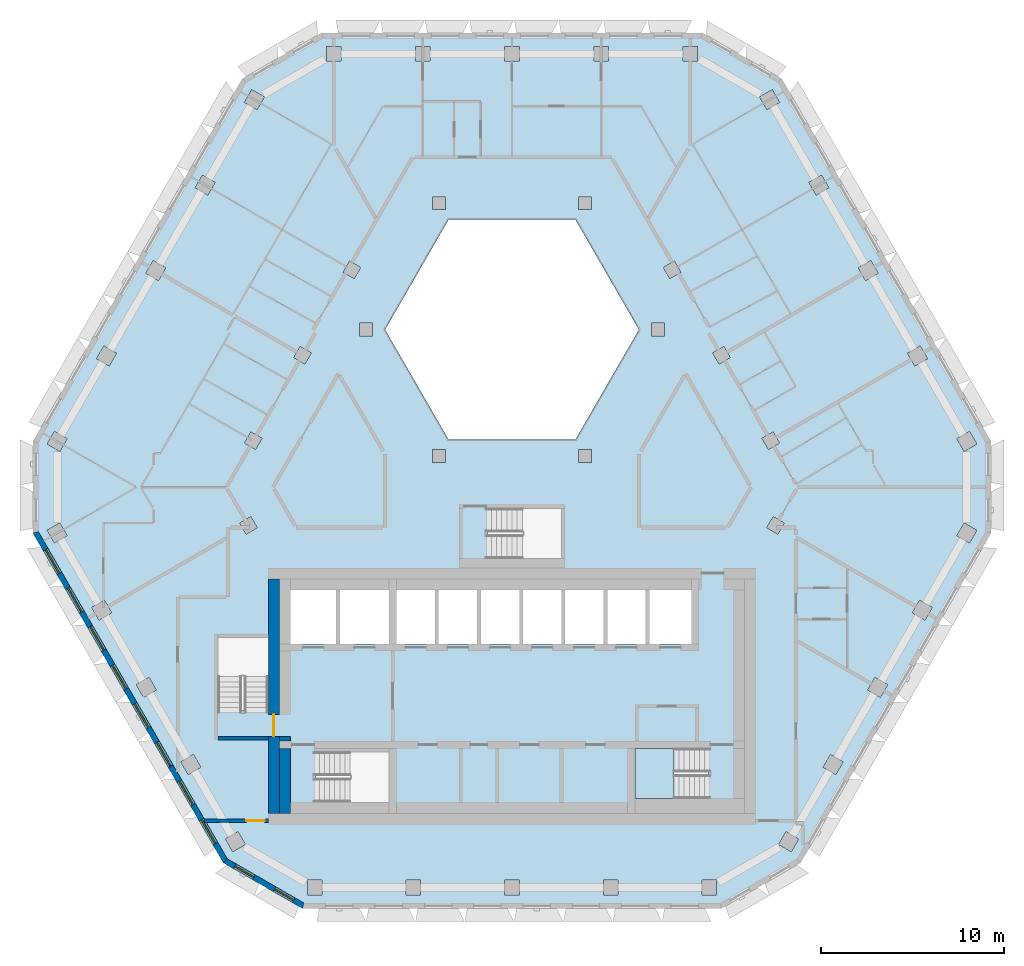
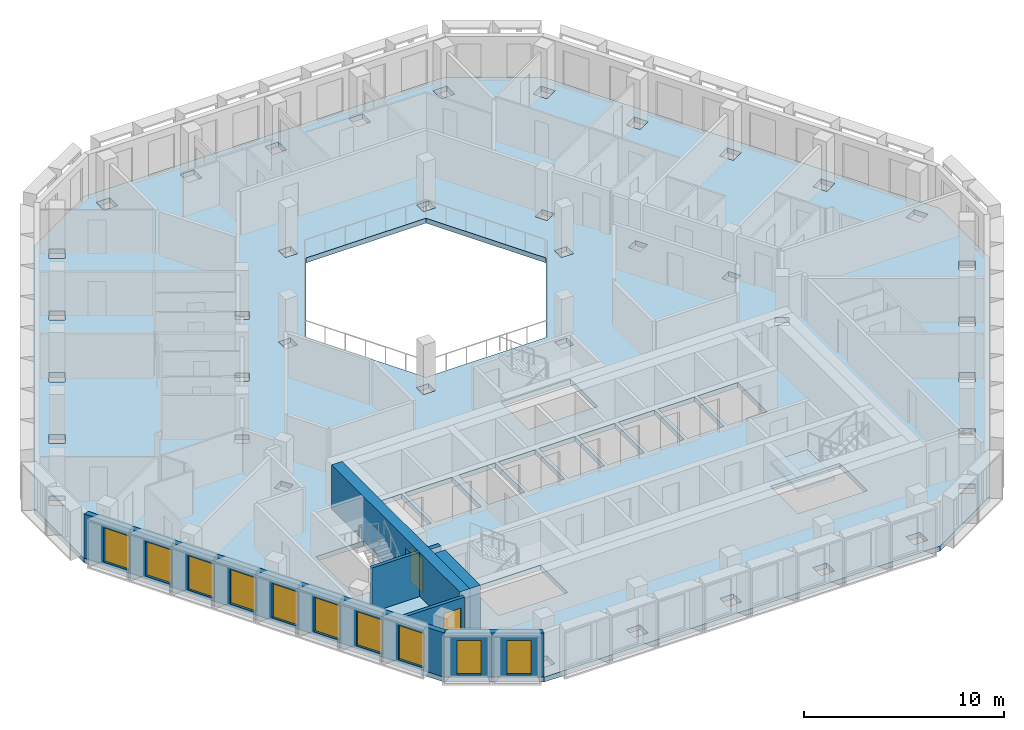
# One storey, part 2 of 18: 10 windows, 7 walls, 2 doors, 2 slabs, 12 openings, 1 element without a shape of its own.
"""IFC4 building model written with IfcOpenShell, lengths in metres."""

from ifc_helpers import new_model, si_unit, direction, frame, frame_2d, origin, place, context, subcontext, project, spatial, polyline, rectangle, outline, extrude, material, layer, layer_set, type_object, element, fill, aggregate, save


model = new_model("IFC4")

# Units and contexts
model_context = context("Model", 3, precision=1e-05, world=origin(), true_north=direction((0.0, 1.0)))
body_context = subcontext(model_context, "Body", "Model", "MODEL_VIEW")
ifc_project = project(units=[si_unit("LENGTHUNIT", "METRE"), si_unit("AREAUNIT", "SQUARE_METRE"), si_unit("VOLUMEUNIT", "CUBIC_METRE"), si_unit("PLANEANGLEUNIT", "RADIAN"), si_unit("MASSUNIT", "GRAM", prefix="KILO")], contexts=[model_context])

# Site, building, storey
site_placement = place(None, origin())
site = spatial("IfcSite", under=ifc_project, at=site_placement, CompositionType="ELEMENT")
building_placement = place(site_placement, origin())
building = spatial("IfcBuilding", under=site, at=building_placement, Name="Beryl Residences", CompositionType="ELEMENT")
storey_placement = place(building_placement, frame((0.0, 0.0, 190.199951171875)))
storey = spatial("IfcBuildingStorey", under=building, at=storey_placement, Name="L58", CompositionType="ELEMENT", Elevation=190.199951171875)

# Slab
ifc_material_1 = material(Name="Concrete C40/50", Category="concrete")
ifc_layer_1 = layer(ifc_material_1, 0.300048828125)
ifc_layer_set_1 = layer_set([ifc_layer_1], Name="SL7 PT floor slab 300 mm C40/50")
slab_type_1 = type_object("IfcSlabType", Name="SL7 PT floor slab 300 mm C40/50", PredefinedType="FLOOR", material=ifc_layer_set_1)
slab_1_placement = place(storey_placement, frame((0.0, 0.0, -0.300048828125)))
element("IfcSlab", 1, at=slab_1_placement, inside=storey, type_object=slab_type_1, Name="L58 slab 1", PredefinedType="FLOOR", context=body_context, shape_type="SweptSolid", body=[
    extrude(outline(polyline([(26.154052734375, -3.10009765625), (15.760986328125, -21.10009765625), (11.430908203125, -23.60009765625), (-11.430908203125, -23.60009765625), (-15.760986328125, -21.10009765625), (-26.154052734375, -3.10009765625), (-26.154052734375, 1.89990234375), (-14.721923828125, 21.699951171875), (-10.39208984375, 24.199951171875), (10.39208984375, 24.199951171875), (14.721923828125, 21.699951171875), (26.154052734375, 1.89990234375), (26.154052734375, -3.10009765625)]), holes=[polyline([(24.971923828125, 2.446044921875), (24.280029296875, 2.0458984375), (24.679931640625, 1.35400390625), (25.3720703125, 1.75390625), (24.971923828125, 2.446044921875)]), polyline([(24.678955078125, -2.554931640625), (24.279052734375, -3.2470703125), (24.970947265625, -3.64697265625), (25.37109375, -2.955078125), (24.678955078125, -2.554931640625)]), polyline([(22.2470703125, -6.76806640625), (21.846923828125, -7.4599609375), (22.5390625, -7.860107421875), (22.93896484375, -7.16796875), (22.2470703125, -6.76806640625)]), polyline([(22.280029296875, 7.10791015625), (21.587890625, 6.7080078125), (21.988037109375, 6.01611328125), (22.679931640625, 6.416015625), (22.280029296875, 7.10791015625)]), polyline([(19.4150390625, -11.672119140625), (20.10693359375, -12.072021484375), (20.507080078125, -11.3798828125), (19.81494140625, -10.97998046875), (19.4150390625, -11.672119140625)]), polyline([(18.89599609375, 11.37109375), (19.2958984375, 10.678955078125), (19.988037109375, 11.0791015625), (19.587890625, 11.77099609375), (18.89599609375, 11.37109375)]), polyline([(18.074951171875, -15.592041015625), (17.383056640625, -15.19189453125), (16.98291015625, -15.884033203125), (17.675048828125, -16.283935546875), (18.074951171875, -15.592041015625)]), polyline([(16.89599609375, 16.43408203125), (16.2041015625, 16.033935546875), (16.60400390625, 15.342041015625), (17.2958984375, 15.741943359375), (16.89599609375, 16.43408203125)]), polyline([(15.64306640625, -19.804931640625), (14.950927734375, -19.405029296875), (14.551025390625, -20.096923828125), (15.242919921875, -20.4970703125), (15.64306640625, -19.804931640625)]), polyline([(14.860107421875, -2.56103515625), (14.25390625, -2.2109375), (13.904052734375, -2.81689453125), (14.510009765625, -3.1669921875), (14.860107421875, -2.56103515625)]), polyline([(14.2041015625, 21.095947265625), (13.511962890625, 20.696044921875), (13.912109375, 20.00390625), (14.60400390625, 20.404052734375), (14.2041015625, 21.095947265625)]), polyline([(13.64501953125, 2.06494140625), (13.9951171875, 1.458984375), (14.60107421875, 1.80908203125), (14.2509765625, 2.4150390625), (13.64501953125, 2.06494140625)]), polyline([(11.55908203125, 7.077880859375), (10.952880859375, 6.72802734375), (11.302978515625, 6.1220703125), (11.908935546875, 6.471923828125), (11.55908203125, 7.077880859375)]), polyline([(11.1689453125, -22.050048828125), (10.368896484375, -22.050048828125), (10.368896484375, -22.85009765625), (11.1689453125, -22.85009765625), (11.1689453125, -22.050048828125)]), polyline([(6.699951171875, -14.85009765625), (6.699951171875, -17.60009765625), (10.699951171875, -17.60009765625), (10.699951171875, -14.85009765625), (6.699951171875, -14.85009765625)]), polyline([(9.327880859375, 23.449951171875), (9.327880859375, 22.64990234375), (10.1279296875, 22.64990234375), (10.1279296875, 23.449951171875), (9.327880859375, 23.449951171875)]), polyline([(7.5, -9.14990234375), (9.800048828125, -9.14990234375), (9.800048828125, -6.199951171875), (7.5, -6.199951171875), (7.5, -9.14990234375)]), polyline([(8.260986328125, 11.39111328125), (8.611083984375, 10.784912109375), (9.217041015625, 11.135009765625), (8.866943359375, 11.740966796875), (8.260986328125, 11.39111328125)]), polyline([(8.31689453125, 7.64990234375), (8.31689453125, 8.35009765625), (7.616943359375, 8.35009765625), (7.616943359375, 7.64990234375), (8.31689453125, 7.64990234375)]), polyline([(5.199951171875, -9.14990234375), (7.300048828125, -9.14990234375), (7.300048828125, -6.199951171875), (5.199951171875, -6.199951171875), (5.199951171875, -9.14990234375)]), polyline([(3.464111328125, 14.0), (-3.464111328125, 14.0), (-6.92822265625, 8.0), (-3.464111328125, 2.0), (3.464111328125, 2.0), (6.92822265625, 8.0), (3.464111328125, 14.0)]), polyline([(5.784912109375, -22.85009765625), (5.784912109375, -22.050048828125), (4.985107421875, -22.050048828125), (4.985107421875, -22.85009765625), (5.784912109375, -22.85009765625)]), polyline([(4.464111328125, 23.449951171875), (4.464111328125, 22.64990234375), (5.263916015625, 22.64990234375), (5.263916015625, 23.449951171875), (4.464111328125, 23.449951171875)]), polyline([(5.0, -9.14990234375), (5.0, -6.199951171875), (2.89990234375, -6.199951171875), (2.89990234375, -9.14990234375), (5.0, -9.14990234375)]), polyline([(4.333984375, 14.550048828125), (4.333984375, 15.25), (3.634033203125, 15.25), (3.634033203125, 14.550048828125), (4.333984375, 14.550048828125)]), polyline([(4.333984375, 1.449951171875), (3.634033203125, 1.449951171875), (3.634033203125, 0.75), (4.333984375, 0.75), (4.333984375, 1.449951171875)]), polyline([(2.699951171875, -4.5), (2.699951171875, -1.75), (-1.300048828125, -1.75), (-1.300048828125, -4.5), (2.699951171875, -4.5)]), polyline([(0.60009765625, -9.14990234375), (2.699951171875, -9.14990234375), (2.699951171875, -6.199951171875), (0.60009765625, -6.199951171875), (0.60009765625, -9.14990234375)]), polyline([(-0.39892578125, -22.050048828125), (-0.39892578125, -22.85009765625), (0.40087890625, -22.85009765625), (0.40087890625, -22.050048828125), (-0.39892578125, -22.050048828125)]), polyline([(0.39990234375, 22.64990234375), (0.39990234375, 23.449951171875), (-0.39990234375, 23.449951171875), (-0.39990234375, 22.64990234375), (0.39990234375, 22.64990234375)]), polyline([(0.39990234375, -6.199951171875), (-1.699951171875, -6.199951171875), (-1.699951171875, -9.14990234375), (0.39990234375, -9.14990234375), (0.39990234375, -6.199951171875)]), polyline([(-4.0, -9.14990234375), (-1.89990234375, -9.14990234375), (-1.89990234375, -6.199951171875), (-4.0, -6.199951171875), (-4.0, -9.14990234375)]), polyline([(-3.634033203125, 15.25), (-4.333984375, 15.25), (-4.333984375, 14.550048828125), (-3.634033203125, 14.550048828125), (-3.634033203125, 15.25)]), polyline([(-3.634033203125, 0.75), (-3.634033203125, 1.449951171875), (-4.333984375, 1.449951171875), (-4.333984375, 0.75), (-3.634033203125, 0.75)]), polyline([(-6.300048828125, -9.14990234375), (-4.199951171875, -9.14990234375), (-4.199951171875, -6.199951171875), (-6.300048828125, -6.199951171875), (-6.300048828125, -9.14990234375)]), polyline([(-5.263916015625, 23.449951171875), (-5.263916015625, 22.64990234375), (-4.464111328125, 22.64990234375), (-4.464111328125, 23.449951171875), (-5.263916015625, 23.449951171875)]), polyline([(-4.98291015625, -22.85009765625), (-4.98291015625, -22.050048828125), (-5.782958984375, -22.050048828125), (-5.782958984375, -22.85009765625), (-4.98291015625, -22.85009765625)]), polyline([(-6.699951171875, -6.199951171875), (-9.39990234375, -6.199951171875), (-9.39990234375, -9.14990234375), (-6.699951171875, -9.14990234375), (-6.699951171875, -6.199951171875)]), polyline([(-10.699951171875, -15.050048828125), (-10.699951171875, -17.800048828125), (-6.699951171875, -17.800048828125), (-6.699951171875, -15.050048828125), (-10.699951171875, -15.050048828125)]), polyline([(-7.616943359375, 7.64990234375), (-7.616943359375, 8.35009765625), (-8.31689453125, 8.35009765625), (-8.31689453125, 7.64990234375), (-7.616943359375, 7.64990234375)]), polyline([(-8.611083984375, 10.784912109375), (-8.260986328125, 11.39111328125), (-8.866943359375, 11.740966796875), (-9.217041015625, 11.135009765625), (-8.611083984375, 10.784912109375)]), polyline([(-10.1279296875, 23.449951171875), (-10.1279296875, 22.64990234375), (-9.327880859375, 22.64990234375), (-9.327880859375, 23.449951171875), (-10.1279296875, 23.449951171875)]), polyline([(-12.10009765625, -9.14990234375), (-9.60009765625, -9.14990234375), (-9.60009765625, -6.199951171875), (-12.10009765625, -6.199951171875), (-12.10009765625, -9.14990234375)]), polyline([(-11.1669921875, -22.050048828125), (-11.1669921875, -22.85009765625), (-10.366943359375, -22.85009765625), (-10.366943359375, -22.050048828125), (-11.1669921875, -22.050048828125)]), polyline([(-11.908935546875, 6.471923828125), (-11.302978515625, 6.1220703125), (-10.952880859375, 6.72802734375), (-11.55908203125, 7.077880859375), (-11.908935546875, 6.471923828125)]), polyline([(-13.300048828125, -8.800048828125), (-16.050048828125, -8.800048828125), (-16.050048828125, -12.800048828125), (-13.300048828125, -12.800048828125), (-13.300048828125, -8.800048828125)]), polyline([(-13.912109375, 20.00390625), (-13.511962890625, 20.696044921875), (-14.2041015625, 21.095947265625), (-14.60400390625, 20.404052734375), (-13.912109375, 20.00390625)]), polyline([(-13.9951171875, 1.458984375), (-13.64501953125, 2.06494140625), (-14.2509765625, 2.4150390625), (-14.60107421875, 1.80908203125), (-13.9951171875, 1.458984375)]), polyline([(-14.510986328125, -3.1650390625), (-13.905029296875, -2.81494140625), (-14.2548828125, -2.208984375), (-14.861083984375, -2.55908203125), (-14.510986328125, -3.1650390625)]), polyline([(-14.552001953125, -20.094970703125), (-14.951904296875, -19.403076171875), (-15.64404296875, -19.802978515625), (-15.243896484375, -20.4951171875), (-14.552001953125, -20.094970703125)]), polyline([(-16.60400390625, 15.342041015625), (-16.2041015625, 16.033935546875), (-16.89599609375, 16.43408203125), (-17.2958984375, 15.741943359375), (-16.60400390625, 15.342041015625)]), polyline([(-16.98388671875, -15.882080078125), (-17.384033203125, -15.18994140625), (-18.075927734375, -15.590087890625), (-17.676025390625, -16.281982421875), (-16.98388671875, -15.882080078125)]), polyline([(-18.89599609375, 11.37109375), (-19.587890625, 11.77099609375), (-19.988037109375, 11.0791015625), (-19.2958984375, 10.678955078125), (-18.89599609375, 11.37109375)]), polyline([(-20.10791015625, -12.070068359375), (-19.416015625, -11.669921875), (-19.81591796875, -10.97802734375), (-20.508056640625, -11.3779296875), (-20.10791015625, -12.070068359375)]), polyline([(-22.679931640625, 6.416015625), (-21.988037109375, 6.01611328125), (-21.587890625, 6.7080078125), (-22.280029296875, 7.10791015625), (-22.679931640625, 6.416015625)]), polyline([(-21.847900390625, -7.4580078125), (-22.248046875, -6.76611328125), (-22.93994140625, -7.166015625), (-22.5400390625, -7.85791015625), (-21.847900390625, -7.4580078125)]), polyline([(-25.3720703125, 1.75390625), (-24.679931640625, 1.35400390625), (-24.280029296875, 2.0458984375), (-24.971923828125, 2.446044921875), (-25.3720703125, 1.75390625)]), polyline([(-24.280029296875, -3.2451171875), (-24.679931640625, -2.552978515625), (-25.3720703125, -2.952880859375), (-24.971923828125, -3.64501953125), (-24.280029296875, -3.2451171875)])]), origin(), (0.0, 0.0, 1.0), 0.300048828125),
])

# Stair, slab
ifc_material_2 = material(Name="Concrete C40/50", Category="concrete")
stair_type = type_object("IfcStairType", Name="ST1 protected exit stair, half-turn, 1300 mm flights", PredefinedType="HALF_TURN_STAIR", material=ifc_material_2)
stair_placement = place(storey_placement, origin())
stair = element("IfcStair", 2, at=stair_placement, inside=storey, type_object=stair_type, Name="L58 PROTECTED EXIT STAIR ST-3", PredefinedType="HALF_TURN_STAIR")
ifc_material_3 = material(Name="Concrete C40/50", Category="concrete")
ifc_layer_2 = layer(ifc_material_3, 0.199951171875)
ifc_layer_set_2 = layer_set([ifc_layer_2], Name="SLD1 stair landing 200 mm")
slab_type_2 = type_object("IfcSlabType", Name="SLD1 stair landing 200 mm", PredefinedType="LANDING", material=ifc_layer_set_2)
slab_2_placement = place(storey_placement, frame((0.0, 0.0, 1.300048828125)))
slab_2 = element("IfcSlab", 3, at=slab_2_placement, type_object=slab_type_2, Name="ST-3 landing 1", PredefinedType="LANDING", context=body_context, shape_type="SweptSolid", body=[
    extrude(outline(polyline([(8.840087890625, -14.85009765625), (6.699951171875, -14.85009765625), (6.699951171875, -17.60009765625), (8.840087890625, -17.60009765625), (8.840087890625, -14.85009765625)])), origin(), (0.0, 0.0, 1.0), 0.199951171875),
])
aggregate(stair, [slab_2])

# Wall, openings, windows
ifc_material_4 = material(Name="Composite metal panel with mineral wool insulation")
ifc_layer_3 = layer(ifc_material_4, 0.300048828125)
ifc_layer_set_3 = layer_set([ifc_layer_3], Name="ES1 pale metal composite panel wall 300 mm")
wall_type_1 = type_object("IfcWallType", Name="ES1 pale metal composite panel wall 300 mm", PredefinedType="SOLIDWALL", material=ifc_layer_set_3)
wall_1_placement = place(storey_placement, frame((-26.02392578125, -3.02490234375, 0.0), z_axis=(0.0, 0.0, 1.0), x_axis=(0.500018670445, -0.86601462413, 0.0)))
wall_1 = element("IfcWall", 4, at=wall_1_placement, inside=storey, type_object=wall_type_1, Name="ES1 external wall L58 SW", PredefinedType="SOLIDWALL", context=body_context, shape_type="SweptSolid", body=[
    extrude(outline(polyline([(0.0, -0.14990234375), (20.784912109375, -0.14990234375), (20.70458984375, 0.14990234375), (0.080322265625, 0.14990234375), (0.0, -0.14990234375)])), origin(), (0.0, 0.0, 1.0), 2.699951171875),
])
opening_1_placement = place(wall_1_placement, frame((1.1298828125, 0.0, 0.14990234375)))
opening_1 = element("IfcOpeningElement", 5, at=opening_1_placement, cuts=wall_1, Name="Opening W1", PredefinedType="OPENING", context=body_context, shape_type="SweptSolid", body=[
    extrude(rectangle(XDim=1.5, YDim=2.10009765625, at=frame_2d((0.75, 1.050048828125))), frame((0.0, 0.159912109375, 0.0), z_axis=(0.0, -1.0, 0.0), x_axis=(1.0, 0.0, 0.0)), (0.0, 0.0, 1.0), 0.320068359375),
])
opening_2_placement = place(wall_1_placement, frame((3.56201171875, 0.0, 0.14990234375)))
opening_2 = element("IfcOpeningElement", 6, at=opening_2_placement, cuts=wall_1, Name="Opening W1", PredefinedType="OPENING", context=body_context, shape_type="SweptSolid", body=[
    extrude(rectangle(XDim=1.5, YDim=2.10009765625, at=frame_2d((0.75, 1.050048828125))), frame((0.0, 0.159912109375, 0.0), z_axis=(0.0, -1.0, 0.0), x_axis=(1.0, 0.0, 0.0)), (0.0, 0.0, 1.0), 0.320068359375),
])
opening_3_placement = place(wall_1_placement, frame((5.993896484375, 0.0, 0.14990234375)))
opening_3 = element("IfcOpeningElement", 7, at=opening_3_placement, cuts=wall_1, Name="Opening W1", PredefinedType="OPENING", context=body_context, shape_type="SweptSolid", body=[
    extrude(rectangle(XDim=1.5, YDim=2.10009765625, at=frame_2d((0.75, 1.050048828125))), frame((0.0, 0.159912109375, 0.0), z_axis=(0.0, -1.0, 0.0), x_axis=(1.0, 0.0, 0.0)), (0.0, 0.0, 1.0), 0.320068359375),
])
opening_4_placement = place(wall_1_placement, frame((8.425048828125, 0.0, 0.14990234375)))
opening_4 = element("IfcOpeningElement", 8, at=opening_4_placement, cuts=wall_1, Name="Opening W1", PredefinedType="OPENING", context=body_context, shape_type="SweptSolid", body=[
    extrude(rectangle(XDim=1.5, YDim=2.10009765625, at=frame_2d((0.75, 1.050048828125))), frame((0.0, 0.159912109375, 0.0), z_axis=(0.0, -1.0, 0.0), x_axis=(1.0, 0.0, 0.0)), (0.0, 0.0, 1.0), 0.320068359375),
])
opening_5_placement = place(wall_1_placement, frame((10.85693359375, 0.0, 0.14990234375)))
opening_5 = element("IfcOpeningElement", 9, at=opening_5_placement, cuts=wall_1, Name="Opening W1", PredefinedType="OPENING", context=body_context, shape_type="SweptSolid", body=[
    extrude(rectangle(XDim=1.5, YDim=2.10009765625, at=frame_2d((0.75, 1.050048828125))), frame((0.0, 0.159912109375, 0.0), z_axis=(0.0, -1.0, 0.0), x_axis=(1.0, 0.0, 0.0)), (0.0, 0.0, 1.0), 0.320068359375),
])
opening_6_placement = place(wall_1_placement, frame((13.2890625, 0.0, 0.14990234375)))
opening_6 = element("IfcOpeningElement", 10, at=opening_6_placement, cuts=wall_1, Name="Opening W1", PredefinedType="OPENING", context=body_context, shape_type="SweptSolid", body=[
    extrude(rectangle(XDim=1.5, YDim=2.10009765625, at=frame_2d((0.75, 1.050048828125))), frame((0.0, 0.159912109375, 0.0), z_axis=(0.0, -1.0, 0.0), x_axis=(1.0, 0.0, 0.0)), (0.0, 0.0, 1.0), 0.320068359375),
])
opening_7_placement = place(wall_1_placement, frame((15.721923828125, 0.0, 0.14990234375)))
opening_7 = element("IfcOpeningElement", 11, at=opening_7_placement, cuts=wall_1, Name="Opening W1", PredefinedType="OPENING", context=body_context, shape_type="SweptSolid", body=[
    extrude(rectangle(XDim=1.5, YDim=2.10009765625, at=frame_2d((0.75, 1.050048828125))), frame((0.0, 0.159912109375, 0.0), z_axis=(0.0, -1.0, 0.0), x_axis=(1.0, 0.0, 0.0)), (0.0, 0.0, 1.0), 0.320068359375),
])
opening_8_placement = place(wall_1_placement, frame((18.154052734375, 0.0, 0.14990234375)))
opening_8 = element("IfcOpeningElement", 12, at=opening_8_placement, cuts=wall_1, Name="Opening W1", PredefinedType="OPENING", context=body_context, shape_type="SweptSolid", body=[
    extrude(rectangle(XDim=1.5, YDim=2.10009765625, at=frame_2d((0.75, 1.050048828125))), frame((0.0, 0.159912109375, 0.0), z_axis=(0.0, -1.0, 0.0), x_axis=(1.0, 0.0, 0.0)), (0.0, 0.0, 1.0), 0.320068359375),
])
ifc_material_5 = material(Name="Aluminium and clear glass", Category="aluminium")
window_type_1 = type_object("IfcWindowType", Name="W1 cell window 1500 x 2100 mm", PartitioningType="SINGLE_PANEL", PredefinedType="WINDOW", material=ifc_material_5)
window_1_placement = place(opening_1_placement, origin())
window_1 = element("IfcWindow", 13, at=window_1_placement, inside=storey, type_object=window_type_1, Name="W1 window L58 SW 1", OverallHeight=2.10009765625, OverallWidth=1.5, PartitioningType="SINGLE_PANEL", PredefinedType="WINDOW", context=body_context, shape_type="SweptSolid", body=[
    extrude(rectangle(XDim=1.5, YDim=2.10009765625, at=frame_2d((0.75, 1.050048828125))), frame((0.0, 0.030029296875, 0.0), z_axis=(0.0, -1.0, 0.0), x_axis=(1.0, 0.0, 0.0)), (0.0, 0.0, 1.0), 0.06005859375),
])
fill(opening_1, window_1)
window_2_placement = place(opening_2_placement, origin())
window_2 = element("IfcWindow", 14, at=window_2_placement, inside=storey, type_object=window_type_1, Name="W1 window L58 SW 2", OverallHeight=2.10009765625, OverallWidth=1.5, PartitioningType="SINGLE_PANEL", PredefinedType="WINDOW", context=body_context, shape_type="SweptSolid", body=[
    extrude(rectangle(XDim=1.5, YDim=2.10009765625, at=frame_2d((0.75, 1.050048828125))), frame((0.0, 0.030029296875, 0.0), z_axis=(0.0, -1.0, 0.0), x_axis=(1.0, 0.0, 0.0)), (0.0, 0.0, 1.0), 0.06005859375),
])
fill(opening_2, window_2)
window_3_placement = place(opening_3_placement, origin())
window_3 = element("IfcWindow", 15, at=window_3_placement, inside=storey, type_object=window_type_1, Name="W1 window L58 SW 3", OverallHeight=2.10009765625, OverallWidth=1.5, PartitioningType="SINGLE_PANEL", PredefinedType="WINDOW", context=body_context, shape_type="SweptSolid", body=[
    extrude(rectangle(XDim=1.5, YDim=2.10009765625, at=frame_2d((0.75, 1.050048828125))), frame((0.0, 0.030029296875, 0.0), z_axis=(0.0, -1.0, 0.0), x_axis=(1.0, 0.0, 0.0)), (0.0, 0.0, 1.0), 0.06005859375),
])
fill(opening_3, window_3)
window_4_placement = place(opening_4_placement, origin())
window_4 = element("IfcWindow", 16, at=window_4_placement, inside=storey, type_object=window_type_1, Name="W1 window L58 SW 4", OverallHeight=2.10009765625, OverallWidth=1.5, PartitioningType="SINGLE_PANEL", PredefinedType="WINDOW", context=body_context, shape_type="SweptSolid", body=[
    extrude(rectangle(XDim=1.5, YDim=2.10009765625, at=frame_2d((0.75, 1.050048828125))), frame((0.0, 0.030029296875, 0.0), z_axis=(0.0, -1.0, 0.0), x_axis=(1.0, 0.0, 0.0)), (0.0, 0.0, 1.0), 0.06005859375),
])
fill(opening_4, window_4)
window_5_placement = place(opening_5_placement, origin())
window_5 = element("IfcWindow", 17, at=window_5_placement, inside=storey, type_object=window_type_1, Name="W1 window L58 SW 5", OverallHeight=2.10009765625, OverallWidth=1.5, PartitioningType="SINGLE_PANEL", PredefinedType="WINDOW", context=body_context, shape_type="SweptSolid", body=[
    extrude(rectangle(XDim=1.5, YDim=2.10009765625, at=frame_2d((0.75, 1.050048828125))), frame((0.0, 0.030029296875, 0.0), z_axis=(0.0, -1.0, 0.0), x_axis=(1.0, 0.0, 0.0)), (0.0, 0.0, 1.0), 0.06005859375),
])
fill(opening_5, window_5)
window_6_placement = place(opening_6_placement, origin())
window_6 = element("IfcWindow", 18, at=window_6_placement, inside=storey, type_object=window_type_1, Name="W1 window L58 SW 6", OverallHeight=2.10009765625, OverallWidth=1.5, PartitioningType="SINGLE_PANEL", PredefinedType="WINDOW", context=body_context, shape_type="SweptSolid", body=[
    extrude(rectangle(XDim=1.5, YDim=2.10009765625, at=frame_2d((0.75, 1.050048828125))), frame((0.0, 0.030029296875, 0.0), z_axis=(0.0, -1.0, 0.0), x_axis=(1.0, 0.0, 0.0)), (0.0, 0.0, 1.0), 0.06005859375),
])
fill(opening_6, window_6)
window_7_placement = place(opening_7_placement, origin())
window_7 = element("IfcWindow", 19, at=window_7_placement, inside=storey, type_object=window_type_1, Name="W1 window L58 SW 7", OverallHeight=2.10009765625, OverallWidth=1.5, PartitioningType="SINGLE_PANEL", PredefinedType="WINDOW", context=body_context, shape_type="SweptSolid", body=[
    extrude(rectangle(XDim=1.5, YDim=2.10009765625, at=frame_2d((0.75, 1.050048828125))), frame((0.0, 0.030029296875, 0.0), z_axis=(0.0, -1.0, 0.0), x_axis=(1.0, 0.0, 0.0)), (0.0, 0.0, 1.0), 0.06005859375),
])
fill(opening_7, window_7)
window_8_placement = place(opening_8_placement, origin())
window_8 = element("IfcWindow", 20, at=window_8_placement, inside=storey, type_object=window_type_1, Name="W1 window L58 SW 8", OverallHeight=2.10009765625, OverallWidth=1.5, PartitioningType="SINGLE_PANEL", PredefinedType="WINDOW", context=body_context, shape_type="SweptSolid", body=[
    extrude(rectangle(XDim=1.5, YDim=2.10009765625, at=frame_2d((0.75, 1.050048828125))), frame((0.0, 0.030029296875, 0.0), z_axis=(0.0, -1.0, 0.0), x_axis=(1.0, 0.0, 0.0)), (0.0, 0.0, 1.0), 0.06005859375),
])
fill(opening_8, window_8)

wall_2_placement = place(storey_placement, frame((-15.68603515625, -20.969970703125, 0.0), z_axis=(0.0, 0.0, 1.0), x_axis=(0.866022959057, -0.500004234368, 0.0)))
wall_2 = element("IfcWall", 21, at=wall_2_placement, inside=storey, type_object=wall_type_1, Name="ES1 external wall L58 SW-S", PredefinedType="SOLIDWALL", context=body_context, shape_type="SweptSolid", body=[
    extrude(outline(polyline([(0.0, -0.14990234375), (5.0, -0.14990234375), (4.919677734375, 0.14990234375), (0.080322265625, 0.14990234375), (0.0, -0.14990234375)])), origin(), (0.0, 0.0, 1.0), 2.699951171875),
])
opening_9_placement = place(wall_2_placement, frame((0.64990234375, 0.0, 0.14990234375)))
opening_9 = element("IfcOpeningElement", 22, at=opening_9_placement, cuts=wall_2, Name="Opening W2", PredefinedType="OPENING", context=body_context, shape_type="SweptSolid", body=[
    extrude(rectangle(XDim=1.199951171875, YDim=2.10009765625, at=frame_2d((0.60009765625, 1.050048828125))), frame((0.0, 0.159912109375, 0.0), z_axis=(0.0, -1.0, 0.0), x_axis=(1.0, 0.0, 0.0)), (0.0, 0.0, 1.0), 0.320068359375),
])
opening_10_placement = place(wall_2_placement, frame((3.14990234375, 0.0, 0.14990234375)))
opening_10 = element("IfcOpeningElement", 23, at=opening_10_placement, cuts=wall_2, Name="Opening W2", PredefinedType="OPENING", context=body_context, shape_type="SweptSolid", body=[
    extrude(rectangle(XDim=1.199951171875, YDim=2.10009765625, at=frame_2d((0.60009765625, 1.050048828125))), frame((0.0, 0.159912109375, 0.0), z_axis=(0.0, -1.0, 0.0), x_axis=(1.0, 0.0, 0.0)), (0.0, 0.0, 1.0), 0.320068359375),
])
ifc_material_6 = material(Name="Aluminium and clear glass", Category="aluminium")
window_type_2 = type_object("IfcWindowType", Name="W2 chamfer window 1200 x 2100 mm", PartitioningType="SINGLE_PANEL", PredefinedType="WINDOW", material=ifc_material_6)
window_9_placement = place(opening_9_placement, origin())
window_9 = element("IfcWindow", 24, at=window_9_placement, inside=storey, type_object=window_type_2, Name="W2 window L58 SW-S 1", OverallHeight=2.10009765625, OverallWidth=1.199951171875, PartitioningType="SINGLE_PANEL", PredefinedType="WINDOW", context=body_context, shape_type="SweptSolid", body=[
    extrude(rectangle(XDim=1.199951171875, YDim=2.10009765625, at=frame_2d((0.60009765625, 1.050048828125))), frame((0.0, 0.030029296875, 0.0), z_axis=(0.0, -1.0, 0.0), x_axis=(1.0, 0.0, 0.0)), (0.0, 0.0, 1.0), 0.06005859375),
])
fill(opening_9, window_9)
window_10_placement = place(opening_10_placement, origin())
window_10 = element("IfcWindow", 25, at=window_10_placement, inside=storey, type_object=window_type_2, Name="W2 window L58 SW-S 2", OverallHeight=2.10009765625, OverallWidth=1.199951171875, PartitioningType="SINGLE_PANEL", PredefinedType="WINDOW", context=body_context, shape_type="SweptSolid", body=[
    extrude(rectangle(XDim=1.199951171875, YDim=2.10009765625, at=frame_2d((0.60009765625, 1.050048828125))), frame((0.0, 0.030029296875, 0.0), z_axis=(0.0, -1.0, 0.0), x_axis=(1.0, 0.0, 0.0)), (0.0, 0.0, 1.0), 0.06005859375),
])
fill(opening_10, window_10)

# Wall
ifc_material_7 = material(Name="Concrete masonry", Category="masonry")
ifc_layer_4 = layer(ifc_material_7, 0.25)
ifc_layer_set_4 = layer_set([ifc_layer_4], Name="PT13-250 lobby wall 250 mm")
wall_type_2 = type_object("IfcWallType", Name="PT13-250 lobby wall 250 mm", PredefinedType="PARTITIONING", material=ifc_layer_set_4)
wall_3_placement = place(storey_placement, frame((-12.699951171875, -14.324951171875, 0.0), z_axis=(0.0, 0.0, 1.0), x_axis=(1.0, 0.0, 0.0)))
element("IfcWall", 26, at=wall_3_placement, inside=storey, type_object=wall_type_2, Name="Lobby wall 05", PredefinedType="PARTITIONING", context=body_context, shape_type="SweptSolid", body=[
    extrude(rectangle(XDim=0.599853515625, YDim=0.25, at=frame_2d((0.2998046875, 0.0))), origin(), (0.0, 0.0, 1.0), 2.699951171875),
])

# Wall, opening, door
ifc_material_8 = material(Name="Double stud gypsum board wall")
ifc_layer_5 = layer(ifc_material_8, 0.199951171875)
ifc_layer_set_5 = layer_set([ifc_layer_5], Name="PT4 corridor wall 200 mm double stud")
wall_type_3 = type_object("IfcWallType", Name="PT4 corridor wall 200 mm double stud", PredefinedType="PARTITIONING", material=ifc_layer_set_5)
wall_4_placement = place(storey_placement, frame((-16.7919921875, -18.800048828125, 0.0), z_axis=(0.0, 0.0, 1.0), x_axis=(1.0, 0.0, 0.0)))
wall_4 = element("IfcWall", 27, at=wall_4_placement, inside=storey, type_object=wall_type_3, Name="Wall PT4 L58 026", PredefinedType="PARTITIONING", context=body_context, shape_type="SweptSolid", body=[
    extrude(rectangle(XDim=3.491943359375, YDim=0.199951171875, at=frame_2d((1.74609375, 0.0))), origin(), (0.0, 0.0, 1.0), 2.699951171875),
])
opening_11_placement = place(wall_4_placement, frame((2.2919921875, 0.0, 0.0)))
opening_11 = element("IfcOpeningElement", 28, at=opening_11_placement, cuts=wall_4, Name="Opening D1549", PredefinedType="OPENING", context=body_context, shape_type="SweptSolid", body=[
    extrude(rectangle(XDim=1.0, YDim=2.10009765625, at=frame_2d((0.5, 1.050048828125))), frame((0.0, 0.10986328125, 0.0), z_axis=(0.0, -1.0, 0.0), x_axis=(1.0, 0.0, 0.0)), (0.0, 0.0, 1.0), 0.219970703125),
])
ifc_material_9 = material(Name="Timber door leaf", Category="wood")
door_type_1 = type_object("IfcDoorType", Name="D1 flat entrance door 1000 x 2100 mm", OperationType="SINGLE_SWING_LEFT", PredefinedType="DOOR", material=ifc_material_9)
door_1_placement = place(opening_11_placement, origin())
door_1 = element("IfcDoor", 29, at=door_1_placement, inside=storey, type_object=door_type_1, Name="Door D1549 L58 001", OperationType="SINGLE_SWING_RIGHT", OverallHeight=2.10009765625, OverallWidth=1.0, PredefinedType="DOOR", context=body_context, shape_type="SweptSolid", body=[
    extrude(rectangle(XDim=1.0, YDim=2.10009765625, at=frame_2d((0.5, 1.050048828125))), frame((0.0, 0.02490234375, 0.0), z_axis=(0.0, -1.0, 0.0), x_axis=(1.0, 0.0, 0.0)), (0.0, 0.0, 1.0), 0.050048828125),
])
fill(opening_11, door_1)

# Walls
ifc_material_10 = material(Name="Concrete C40/50", Category="concrete")
ifc_layer_6 = layer(ifc_material_10, 0.199951171875)
ifc_layer_set_6 = layer_set([ifc_layer_6], Name="PT5 stair enclosure wall 200 mm reinforced concrete C40/50")
wall_type_4 = type_object("IfcWallType", Name="PT5 stair enclosure wall 200 mm reinforced concrete C40/50", PredefinedType="SOLIDWALL", material=ifc_layer_set_6)
wall_5_placement = place(storey_placement, frame((-16.050048828125, -14.300048828125, 0.0), z_axis=(0.0, 0.0, 1.0), x_axis=(1.0, 0.0, 0.0)))
element("IfcWall", 30, at=wall_5_placement, inside=storey, type_object=wall_type_4, Name="Stair wall 02", PredefinedType="SOLIDWALL", context=body_context, shape_type="SweptSolid", body=[
    extrude(rectangle(XDim=2.75, YDim=0.199951171875, at=frame_2d((1.375, 0.0))), origin(), (0.0, 0.0, 1.0), 2.699951171875),
])
ifc_material_11 = material(Name="Concrete C40/50", Category="concrete")
ifc_layer_7 = layer(ifc_material_11, 0.60009765625)
ifc_layer_set_7 = layer_set([ifc_layer_7], Name="PT5-600 stair enclosure wall 600 mm")
wall_type_5 = type_object("IfcWallType", Name="PT5-600 stair enclosure wall 600 mm", PredefinedType="SOLIDWALL", material=ifc_layer_set_7)
wall_6_placement = place(storey_placement, frame((-12.39990234375, -18.39990234375, 0.0), z_axis=(0.0, 0.0, 1.0), x_axis=(0.0, 1.0, 0.0)))
element("IfcWall", 31, at=wall_6_placement, inside=storey, type_object=wall_type_5, Name="Stair wall 04", PredefinedType="SOLIDWALL", context=body_context, shape_type="SweptSolid", body=[
    extrude(rectangle(XDim=3.5498046875, YDim=0.60009765625, at=frame_2d((1.77490234375, 0.0))), origin(), (0.0, 0.0, 1.0), 2.699951171875),
])

# Wall, opening, door
ifc_material_12 = material(Name="Concrete C50/60", Category="concrete")
ifc_layer_8 = layer(ifc_material_12, 0.60009765625)
ifc_layer_set_8 = layer_set([ifc_layer_8], Name="SW4 core outer wall 600 mm C50/60")
wall_type_6 = type_object("IfcWallType", Name="SW4 core outer wall 600 mm C50/60", PredefinedType="SHEAR", material=ifc_layer_set_8)
wall_7_placement = place(storey_placement, frame((-13.0, -18.39990234375, 0.0), z_axis=(0.0, 0.0, 1.0), x_axis=(0.0, 1.0, 0.0)))
wall_7 = element("IfcWall", 32, at=wall_7_placement, inside=storey, type_object=wall_type_6, Name="Core wall W L58", PredefinedType="SHEAR", context=body_context, shape_type="SweptSolid", body=[
    extrude(rectangle(XDim=12.7998046875, YDim=0.60009765625, at=frame_2d((6.39990234375, 0.0))), origin(), (0.0, 0.0, 1.0), 2.699951171875),
])
opening_12_placement = place(wall_7_placement, frame((4.199951171875, 0.0, 0.0)))
opening_12 = element("IfcOpeningElement", 33, at=opening_12_placement, cuts=wall_7, Name="Opening SD-2", PredefinedType="OPENING", context=body_context, shape_type="SweptSolid", body=[
    extrude(rectangle(XDim=1.199951171875, YDim=2.10009765625, at=frame_2d((0.60009765625, 1.050048828125))), frame((0.0, 0.31005859375, 0.0), z_axis=(0.0, -1.0, 0.0), x_axis=(1.0, 0.0, 0.0)), (0.0, 0.0, 1.0), 0.6201171875),
])
ifc_material_13 = material(Name="Steel door leaf in steel frame", Category="steel")
door_type_2 = type_object("IfcDoorType", Name="D4 stair door 1200 x 2100 mm", OperationType="SINGLE_SWING_LEFT", PredefinedType="DOOR", material=ifc_material_13)
door_2_placement = place(opening_12_placement, origin())
door_2 = element("IfcDoor", 34, at=door_2_placement, inside=storey, type_object=door_type_2, Name="Door SD-2 L58 001", OperationType="SINGLE_SWING_RIGHT", OverallHeight=2.10009765625, OverallWidth=1.199951171875, PredefinedType="DOOR", context=body_context, shape_type="SweptSolid", body=[
    extrude(rectangle(XDim=1.199951171875, YDim=2.10009765625, at=frame_2d((0.60009765625, 1.050048828125))), frame((0.0, 0.02490234375, 0.0), z_axis=(0.0, -1.0, 0.0), x_axis=(1.0, 0.0, 0.0)), (0.0, 0.0, 1.0), 0.050048828125),
])
fill(opening_12, door_2)

save(model, "model.ifc")
